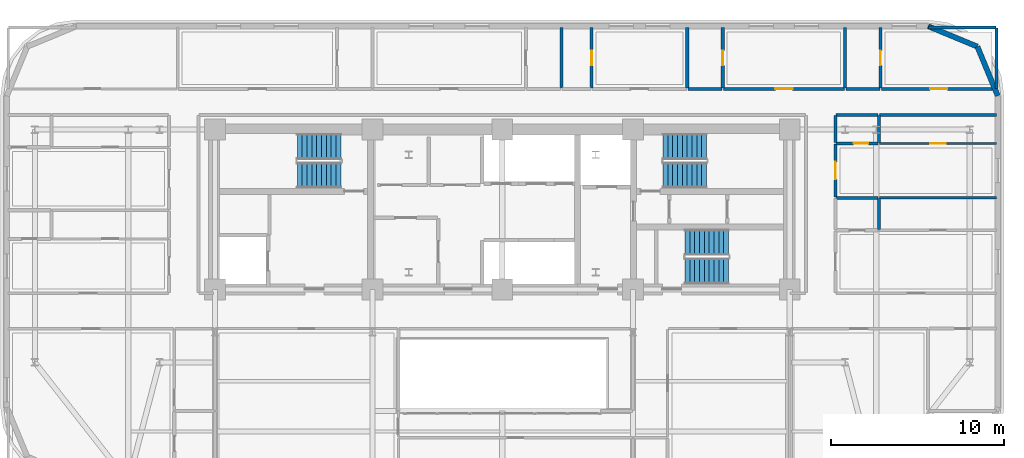
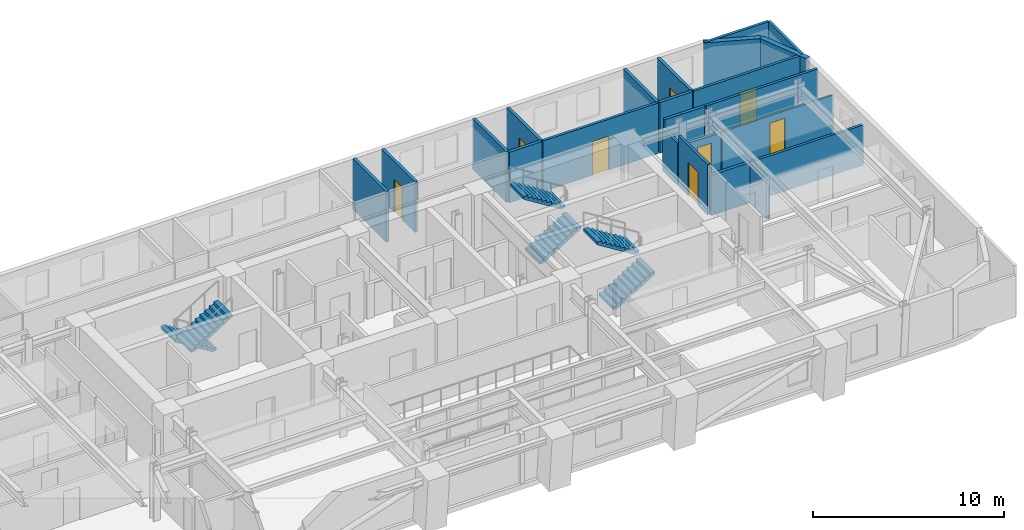
# One storey, part 12 of 15: 24 walls, 8 doors, 6 stair flights, 8 openings, 3 elements without a shape of their own.
"""IFC4 building model written with IfcOpenShell, lengths in metres."""

from ifc_helpers import new_model, si_unit, direction, frame, frame_2d, origin, place, context, subcontext, project, spatial, polyline, rectangle, outline, extrude, material, layer, layer_set, type_object, element, fill, aggregate, save


model = new_model("IFC4")

# Units and contexts
model_context = context("Model", 3, precision=1e-05, world=origin(), true_north=direction((0.0, 1.0)))
body_context = subcontext(model_context, "Body", "Model", "MODEL_VIEW")
ifc_project = project(units=[si_unit("LENGTHUNIT", "METRE"), si_unit("AREAUNIT", "SQUARE_METRE"), si_unit("VOLUMEUNIT", "CUBIC_METRE"), si_unit("PLANEANGLEUNIT", "RADIAN"), si_unit("MASSUNIT", "GRAM", prefix="KILO")], contexts=[model_context])

# Site, building, storey
site_placement = place(None, origin())
site = spatial("IfcSite", under=ifc_project, at=site_placement, CompositionType="ELEMENT")
building_placement = place(site_placement, origin())
building = spatial("IfcBuilding", under=site, at=building_placement, Name="Zarnavel Station Tower", CompositionType="ELEMENT")
storey_placement = place(building_placement, frame((0.0, 0.0, 111.800048828125)))
storey = spatial("IfcBuildingStorey", under=building, at=storey_placement, Name="L30", CompositionType="ELEMENT", Elevation=111.800048828125)

# Walls
ifc_material_1 = material(Name="Precast concrete C45/55 (Dark Basalt Finish)", Category="masonry")
ifc_layer_1 = layer(ifc_material_1, 0.300048828125)
ifc_layer_set_1 = layer_set([ifc_layer_1], Name="EW_BASALT_300")
wall_type_1 = type_object("IfcWallType", Name="EW_BASALT_300", PredefinedType="SOLIDWALL", material=ifc_layer_set_1)
wall_1_placement = place(storey_placement, frame((56.24267578125, 41.842529296875, 0.0), z_axis=(0.0, 0.0, 1.0), x_axis=(0.382636798336, -0.92389884758, 0.0)))
element("IfcWall", 1, at=wall_1_placement, inside=storey, type_object=wall_type_1, Name="L30 Exterior Basalt Masonry Frame Wall 04", PredefinedType="SOLIDWALL", context=body_context, shape_type="SweptSolid", body=[
    extrude(rectangle(XDim=3.07666015625, YDim=0.300048828125, at=frame_2d((1.538330078125, 0.0))), origin(), (0.0, 0.0, 1.0), 3.239990234375),
])
wall_2_placement = place(storey_placement, frame((53.39990234375, 43.02001953125, 0.0), z_axis=(0.0, 0.0, 1.0), x_axis=(0.923882414032, -0.382676475685, 0.0)))
element("IfcWall", 2, at=wall_2_placement, inside=storey, type_object=wall_type_1, Name="L30 Exterior Basalt Masonry Frame Wall 05", PredefinedType="SOLIDWALL", context=body_context, shape_type="SweptSolid", body=[
    extrude(rectangle(XDim=3.076904296875, YDim=0.300048828125, at=frame_2d((1.53857421875, 0.0))), origin(), (0.0, 0.0, 1.0), 3.239990234375),
])

# Wall, opening, door
ifc_material_2 = material(Name="Gypsum Twin-Stud Acoustic Fire Partition", Category="concrete")
ifc_layer_2 = layer(ifc_material_2, 0.159912109375)
ifc_layer_set_2 = layer_set([ifc_layer_2], Name="PT_DEMISE_160")
wall_type_2 = type_object("IfcWallType", Name="PT_DEMISE_160", PredefinedType="PARTITIONING", material=ifc_layer_set_2)
wall_3_placement = place(storey_placement, frame((48.050048828125, 33.14892578125, 0.0), z_axis=(0.0, 0.0, 1.0), x_axis=(0.0, 1.0, 0.0)))
wall_3 = element("IfcWall", 3, at=wall_3_placement, inside=storey, type_object=wall_type_2, Name="L30 Partition COR-E-FNE2R", PredefinedType="PARTITIONING", context=body_context, shape_type="SweptSolid", body=[
    extrude(rectangle(XDim=3.06103515625, YDim=0.159912109375, at=frame_2d((1.530517578125, 0.0))), origin(), (0.0, 0.0, 1.0), 3.239990234375),
])
opening_1_placement = place(wall_3_placement, frame((1.030517578125, 0.0, 0.0)))
opening_1 = element("IfcOpeningElement", 4, at=opening_1_placement, cuts=wall_3, Name="Opening FD02", PredefinedType="OPENING", context=body_context, shape_type="SweptSolid", body=[
    extrude(rectangle(XDim=1.0, YDim=2.14990234375, at=frame_2d((0.5, 1.074951171875))), frame((0.0, 0.08984375, 0.0), z_axis=(0.0, -1.0, 0.0), x_axis=(1.0, 0.0, 0.0)), (0.0, 0.0, 1.0), 0.179931640625),
])
ifc_material_3 = material(Name="Painted Galvanised Steel and Hardwood Leaf", Category="steel")
door_type_1 = type_object("IfcDoorType", Name="ID_ENTRY_1000", OperationType="NOTDEFINED", PredefinedType="DOOR", material=ifc_material_3)
door_1_placement = place(opening_1_placement, origin())
door_1 = element("IfcDoor", 5, at=door_1_placement, inside=storey, type_object=door_type_1, Name="L30 Door COR-E-FNE2R", OperationType="SINGLE_SWING_LEFT", OverallHeight=2.14990234375, OverallWidth=1.0, PredefinedType="DOOR", context=body_context, shape_type="SweptSolid", body=[
    extrude(rectangle(XDim=1.0, YDim=2.14990234375, at=frame_2d((0.5, 1.074951171875))), frame((0.0, 0.02490234375, 0.0), z_axis=(0.0, -1.0, 0.0), x_axis=(1.0, 0.0, 0.0)), (0.0, 0.0, 1.0), 0.050048828125),
])
fill(opening_1, door_1)

# Wall
wall_4_placement = place(storey_placement, frame((50.590087890625, 37.89990234375, 0.0), z_axis=(0.0, 0.0, 1.0), x_axis=(1.0, 0.0, 0.0)))
element("IfcWall", 6, at=wall_4_placement, inside=storey, type_object=wall_type_2, Name="L30 Partition COR-N-FNE2S", PredefinedType="PARTITIONING", context=body_context, shape_type="SweptSolid", body=[
    extrude(rectangle(XDim=6.75, YDim=0.159912109375, at=frame_2d((3.375, 0.0))), origin(), (0.0, 0.0, 1.0), 3.239990234375),
])

# Wall, opening, door
wall_5_placement = place(storey_placement, frame((41.574951171875, 39.39990234375, 0.0), z_axis=(0.0, 0.0, 1.0), x_axis=(1.0, 0.0, 0.0)))
wall_5 = element("IfcWall", 7, at=wall_5_placement, inside=storey, type_object=wall_type_2, Name="L30 Partition COR-N-HN4R", PredefinedType="PARTITIONING", context=body_context, shape_type="SweptSolid", body=[
    extrude(rectangle(XDim=6.985107421875, YDim=0.159912109375, at=frame_2d((3.49267578125, 0.0))), origin(), (0.0, 0.0, 1.0), 3.239990234375),
])
opening_2_placement = place(wall_5_placement, frame((2.992431640625, 0.0, 0.0)))
opening_2 = element("IfcOpeningElement", 8, at=opening_2_placement, cuts=wall_5, Name="Opening FD02", PredefinedType="OPENING", context=body_context, shape_type="SweptSolid", body=[
    extrude(rectangle(XDim=1.0, YDim=2.14990234375, at=frame_2d((0.5, 1.074951171875))), frame((0.0, 0.08984375, 0.0), z_axis=(0.0, -1.0, 0.0), x_axis=(1.0, 0.0, 0.0)), (0.0, 0.0, 1.0), 0.179931640625),
])
door_2_placement = place(opening_2_placement, origin())
door_2 = element("IfcDoor", 9, at=door_2_placement, inside=storey, type_object=door_type_1, Name="L30 Door COR-N-HN4R", OperationType="SINGLE_SWING_RIGHT", OverallHeight=2.14990234375, OverallWidth=1.0, PredefinedType="DOOR", context=body_context, shape_type="SweptSolid", body=[
    extrude(rectangle(XDim=1.0, YDim=2.14990234375, at=frame_2d((0.5, 1.074951171875))), frame((0.0, 0.02490234375, 0.0), z_axis=(0.0, -1.0, 0.0), x_axis=(1.0, 0.0, 0.0)), (0.0, 0.0, 1.0), 0.050048828125),
])
fill(opening_2, door_2)

wall_6_placement = place(storey_placement, frame((50.68994140625, 39.39990234375, 0.0), z_axis=(0.0, 0.0, 1.0), x_axis=(1.0, 0.0, 0.0)))
wall_6 = element("IfcWall", 10, at=wall_6_placement, inside=storey, type_object=wall_type_2, Name="L30 Partition COR-N-HN5R", PredefinedType="PARTITIONING", context=body_context, shape_type="SweptSolid", body=[
    extrude(rectangle(XDim=6.650146484375, YDim=0.159912109375, at=frame_2d((3.3251953125, 0.0))), origin(), (0.0, 0.0, 1.0), 3.239990234375),
])
opening_3_placement = place(wall_6_placement, frame((2.824951171875, 0.0, 0.0)))
opening_3 = element("IfcOpeningElement", 11, at=opening_3_placement, cuts=wall_6, Name="Opening FD02", PredefinedType="OPENING", context=body_context, shape_type="SweptSolid", body=[
    extrude(rectangle(XDim=1.0, YDim=2.14990234375, at=frame_2d((0.5, 1.074951171875))), frame((0.0, 0.08984375, 0.0), z_axis=(0.0, -1.0, 0.0), x_axis=(1.0, 0.0, 0.0)), (0.0, 0.0, 1.0), 0.179931640625),
])
door_3_placement = place(opening_3_placement, origin())
door_3 = element("IfcDoor", 12, at=door_3_placement, inside=storey, type_object=door_type_1, Name="L30 Door COR-N-HN5R", OperationType="SINGLE_SWING_LEFT", OverallHeight=2.14990234375, OverallWidth=1.0, PredefinedType="DOOR", context=body_context, shape_type="SweptSolid", body=[
    extrude(rectangle(XDim=1.0, YDim=2.14990234375, at=frame_2d((0.5, 1.074951171875))), frame((0.0, 0.02490234375, 0.0), z_axis=(0.0, -1.0, 0.0), x_axis=(1.0, 0.0, 0.0)), (0.0, 0.0, 1.0), 0.050048828125),
])
fill(opening_3, door_3)

# Walls
wall_7_placement = place(storey_placement, frame((50.590087890625, 33.10888671875, 0.0), z_axis=(0.0, 0.0, 1.0), x_axis=(1.0, 0.0, 0.0)))
element("IfcWall", 13, at=wall_7_placement, inside=storey, type_object=wall_type_2, Name="L30 Partition FNE1S-FNE2R", PredefinedType="PARTITIONING", context=body_context, shape_type="SweptSolid", body=[
    extrude(rectangle(XDim=6.75, YDim=0.159912109375, at=frame_2d((3.375, 0.0))), origin(), (0.0, 0.0, 1.0), 2.570068359375),
])
wall_8_placement = place(storey_placement, frame((53.429931640625, 42.93994140625, 0.0), z_axis=(0.0, 0.0, 1.0), x_axis=(1.0, 0.0, 0.0)))
element("IfcWall", 14, at=wall_8_placement, inside=storey, type_object=wall_type_2, Name="L30 Enclosure Wall HN5R", PredefinedType="PARTITIONING", context=body_context, shape_type="SweptSolid", body=[
    extrude(rectangle(XDim=3.880126953125, YDim=0.159912109375, at=frame_2d((1.93994140625, 0.0))), origin(), (0.0, 0.0, 1.0), 3.239990234375),
])
wall_9_placement = place(storey_placement, frame((57.340087890625, 39.429931640625, 0.0), z_axis=(0.0, 0.0, 1.0), x_axis=(0.0, 1.0, 0.0)))
element("IfcWall", 15, at=wall_9_placement, inside=storey, type_object=wall_type_2, Name="L30 Enclosure Wall HN5R", PredefinedType="PARTITIONING", context=body_context, shape_type="SweptSolid", body=[
    extrude(rectangle(XDim=3.47998046875, YDim=0.159912109375, at=frame_2d((1.739990234375, 0.0))), origin(), (0.0, 0.0, 1.0), 3.239990234375),
])

# Wall, opening, door
ifc_material_4 = material(Name="Gypsum Metal-Stud Interior Partition", Category="concrete")
ifc_layer_3 = layer(ifc_material_4, 0.1201171875)
ifc_layer_set_3 = layer_set([ifc_layer_3], Name="PT_ROOM_120")
wall_type_3 = type_object("IfcWallType", Name="PT_ROOM_120", PredefinedType="PARTITIONING", material=ifc_layer_set_3)
wall_10_placement = place(storey_placement, frame((50.590087890625, 36.25, 0.0), z_axis=(0.0, 0.0, 1.0), x_axis=(1.0, 0.0, 0.0)))
wall_10 = element("IfcWall", 16, at=wall_10_placement, inside=storey, type_object=wall_type_3, Name="L30 Partition FNE2R-FNE2S", PredefinedType="PARTITIONING", context=body_context, shape_type="SweptSolid", body=[
    extrude(rectangle(XDim=6.75, YDim=0.1201171875, at=frame_2d((3.375, 0.0))), origin(), (0.0, 0.0, 1.0), 2.570068359375),
])
opening_4_placement = place(wall_10_placement, frame((2.925048828125, 0.0, 0.0)))
opening_4 = element("IfcOpeningElement", 17, at=opening_4_placement, cuts=wall_10, Name="Opening ID01", PredefinedType="OPENING", context=body_context, shape_type="SweptSolid", body=[
    extrude(rectangle(XDim=0.89990234375, YDim=2.10009765625, at=frame_2d((0.449951171875, 1.050048828125))), frame((0.0, 0.070068359375, 0.0), z_axis=(0.0, -1.0, 0.0), x_axis=(1.0, 0.0, 0.0)), (0.0, 0.0, 1.0), 0.14013671875),
])
ifc_material_5 = material(Name="Painted Galvanised Steel and Hardwood Leaf", Category="steel")
door_type_2 = type_object("IfcDoorType", Name="ID_ROOM_900", OperationType="NOTDEFINED", PredefinedType="DOOR", material=ifc_material_5)
door_4_placement = place(opening_4_placement, origin())
door_4 = element("IfcDoor", 18, at=door_4_placement, inside=storey, type_object=door_type_2, Name="L30 Door FNE2R-FNE2S", OperationType="SINGLE_SWING_RIGHT", OverallHeight=2.10009765625, OverallWidth=0.89990234375, PredefinedType="DOOR", context=body_context, shape_type="SweptSolid", body=[
    extrude(rectangle(XDim=0.89990234375, YDim=2.10009765625, at=frame_2d((0.449951171875, 1.050048828125))), frame((0.0, 0.02490234375, 0.0), z_axis=(0.0, -1.0, 0.0), x_axis=(1.0, 0.0, 0.0)), (0.0, 0.0, 1.0), 0.050048828125),
])
fill(opening_4, door_4)

# Walls
ifc_material_6 = material(Name="Moisture-Resistant Plumbing Chase Wall", Category="concrete")
ifc_layer_4 = layer(ifc_material_6, 0.179931640625)
ifc_layer_set_4 = layer_set([ifc_layer_4], Name="PW_PLUMB_180")
wall_type_4 = type_object("IfcWallType", Name="PW_PLUMB_180", PredefinedType="PLUMBINGWALL", material=ifc_layer_set_4)
wall_11_placement = place(storey_placement, frame((48.050048828125, 36.2900390625, 0.0), z_axis=(0.0, 0.0, 1.0), x_axis=(0.0, 1.0, 0.0)))
element("IfcWall", 19, at=wall_11_placement, inside=storey, type_object=wall_type_4, Name="L30 Partition COR-E-FNE2B", PredefinedType="PLUMBINGWALL", context=body_context, shape_type="SweptSolid", body=[
    extrude(rectangle(XDim=1.570068359375, YDim=0.179931640625, at=frame_2d((0.78515625, 0.0))), origin(), (0.0, 0.0, 1.0), 2.719970703125),
])
wall_12_placement = place(storey_placement, frame((48.090087890625, 37.89990234375, 0.0), z_axis=(0.0, 0.0, 1.0), x_axis=(1.0, 0.0, 0.0)))
element("IfcWall", 20, at=wall_12_placement, inside=storey, type_object=wall_type_4, Name="L30 Partition COR-N-FNE2B", PredefinedType="PLUMBINGWALL", context=body_context, shape_type="SweptSolid", body=[
    extrude(rectangle(XDim=2.419921875, YDim=0.179931640625, at=frame_2d((1.2099609375, 0.0))), origin(), (0.0, 0.0, 1.0), 3.239990234375),
])
for number, where, z_axis, x_axis, name in (
    (21, (39.52490234375, 39.39990234375, 0.0), (0.0, 0.0, 1.0), (1.0, 0.0, 0.0), "L30 Partition COR-N-HN4B"),
    (22, (48.639892578125, 39.39990234375, 0.0), (0.0, 0.0, 1.0), (1.0, 0.0, 0.0), "L30 Partition COR-N-HN5B"),
):
    element("IfcWall", number, at=place(storey_placement, frame(where, z_axis=z_axis, x_axis=x_axis)), inside=storey, type_object=wall_type_4, Name=name, PredefinedType="PLUMBINGWALL", context=body_context, shape_type="SweptSolid", body=[
        extrude(rectangle(XDim=1.97021484375, YDim=0.179931640625, at=frame_2d((0.985107421875, 0.0))), origin(), (0.0, 0.0, 1.0), 3.239990234375),
    ])
wall_13_placement = place(storey_placement, frame((50.550048828125, 31.27587890625, 0.0), z_axis=(0.0, 0.0, 1.0), x_axis=(0.0, 1.0, 0.0)))
element("IfcWall", 23, at=wall_13_placement, inside=storey, type_object=wall_type_4, Name="L30 Partition FNE1B-FNE1S", PredefinedType="PLUMBINGWALL", context=body_context, shape_type="SweptSolid", body=[
    extrude(rectangle(XDim=1.793212890625, YDim=0.179931640625, at=frame_2d((0.896484375, 0.0))), origin(), (0.0, 0.0, 1.0), 2.570068359375),
])
wall_14_placement = place(storey_placement, frame((48.090087890625, 33.10888671875, 0.0), z_axis=(0.0, 0.0, 1.0), x_axis=(1.0, 0.0, 0.0)))
element("IfcWall", 24, at=wall_14_placement, inside=storey, type_object=wall_type_4, Name="L30 Partition FNE1B-FNE2R", PredefinedType="PLUMBINGWALL", context=body_context, shape_type="SweptSolid", body=[
    extrude(rectangle(XDim=2.419921875, YDim=0.179931640625, at=frame_2d((1.2099609375, 0.0))), origin(), (0.0, 0.0, 1.0), 2.570068359375),
])

# Wall, opening, door
wall_15_placement = place(storey_placement, frame((50.510009765625, 36.25, 0.0), z_axis=(0.0, 0.0, 1.0), x_axis=(-1.0, 0.0, 0.0)))
wall_15 = element("IfcWall", 25, at=wall_15_placement, inside=storey, type_object=wall_type_4, Name="L30 Partition FNE2R-FNE2B", PredefinedType="PLUMBINGWALL", context=body_context, shape_type="SweptSolid", body=[
    extrude(rectangle(XDim=2.419921875, YDim=0.179931640625, at=frame_2d((1.2099609375, 0.0))), origin(), (0.0, 0.0, 1.0), 2.570068359375),
])
opening_5_placement = place(wall_15_placement, frame((0.570068359375, 0.0, 0.0)))
opening_5 = element("IfcOpeningElement", 26, at=opening_5_placement, cuts=wall_15, Name="Opening ID02", PredefinedType="OPENING", context=body_context, shape_type="SweptSolid", body=[
    extrude(rectangle(XDim=0.85009765625, YDim=2.10009765625, at=frame_2d((0.425048828125, 1.050048828125))), frame((0.0, 0.099853515625, 0.0), z_axis=(0.0, -1.0, 0.0), x_axis=(1.0, 0.0, 0.0)), (0.0, 0.0, 1.0), 0.199951171875),
])
ifc_material_7 = material(Name="Painted Galvanised Steel and Hardwood Leaf", Category="steel")
door_type_3 = type_object("IfcDoorType", Name="ID_BATH_850", OperationType="NOTDEFINED", PredefinedType="DOOR", material=ifc_material_7)
door_5_placement = place(opening_5_placement, origin())
door_5 = element("IfcDoor", 27, at=door_5_placement, inside=storey, type_object=door_type_3, Name="L30 Door FNE2R-FNE2B", OperationType="SINGLE_SWING_LEFT", OverallHeight=2.10009765625, OverallWidth=0.85009765625, PredefinedType="DOOR", context=body_context, shape_type="SweptSolid", body=[
    extrude(rectangle(XDim=0.85009765625, YDim=2.10009765625, at=frame_2d((0.425048828125, 1.050048828125))), frame((0.0, 0.02490234375, 0.0), z_axis=(0.0, -1.0, 0.0), x_axis=(1.0, 0.0, 0.0)), (0.0, 0.0, 1.0), 0.050048828125),
])
fill(opening_5, door_5)

# Walls
wall_16_placement = place(storey_placement, frame((50.550048828125, 36.2900390625, 0.0), z_axis=(0.0, 0.0, 1.0), x_axis=(0.0, 1.0, 0.0)))
element("IfcWall", 28, at=wall_16_placement, inside=storey, type_object=wall_type_4, Name="L30 Partition FNE2B-FNE2S", PredefinedType="PLUMBINGWALL", context=body_context, shape_type="SweptSolid", body=[
    extrude(rectangle(XDim=1.570068359375, YDim=0.179931640625, at=frame_2d((0.78515625, 0.0))), origin(), (0.0, 0.0, 1.0), 2.570068359375),
])
wall_17_placement = place(storey_placement, frame((32.2109375, 39.43994140625, 0.0), z_axis=(0.0, 0.0, 1.0), x_axis=(0.0, 1.0, 0.0)))
element("IfcWall", 29, at=wall_17_placement, inside=storey, type_object=wall_type_4, Name="L30 Partition HN2B-HN3B", PredefinedType="PLUMBINGWALL", context=body_context, shape_type="SweptSolid", body=[
    extrude(rectangle(XDim=3.5, YDim=0.179931640625, at=frame_2d((1.75, 0.0))), origin(), (0.0, 0.0, 1.0), 3.239990234375),
])

# Wall, opening, door
wall_18_placement = place(storey_placement, frame((33.95703125, 39.43994140625, 0.0), z_axis=(0.0, 0.0, 1.0), x_axis=(0.0, 1.0, 0.0)))
wall_18 = element("IfcWall", 30, at=wall_18_placement, inside=storey, type_object=wall_type_4, Name="L30 Partition HN3R-HN3B", PredefinedType="PLUMBINGWALL", context=body_context, shape_type="SweptSolid", body=[
    extrude(rectangle(XDim=3.5, YDim=0.179931640625, at=frame_2d((1.75, 0.0))), origin(), (0.0, 0.0, 1.0), 3.239990234375),
])
opening_6_placement = place(wall_18_placement, frame((1.324951171875, 0.0, 0.0)))
opening_6 = element("IfcOpeningElement", 31, at=opening_6_placement, cuts=wall_18, Name="Opening ID02", PredefinedType="OPENING", context=body_context, shape_type="SweptSolid", body=[
    extrude(rectangle(XDim=0.85009765625, YDim=2.10009765625, at=frame_2d((0.425048828125, 1.050048828125))), frame((0.0, 0.099853515625, 0.0), z_axis=(0.0, -1.0, 0.0), x_axis=(1.0, 0.0, 0.0)), (0.0, 0.0, 1.0), 0.199951171875),
])
door_6_placement = place(opening_6_placement, origin())
door_6 = element("IfcDoor", 32, at=door_6_placement, inside=storey, type_object=door_type_3, Name="L30 Door HN3R-HN3B", OperationType="SINGLE_SWING_LEFT", OverallHeight=2.10009765625, OverallWidth=0.85009765625, PredefinedType="DOOR", context=body_context, shape_type="SweptSolid", body=[
    extrude(rectangle(XDim=0.85009765625, YDim=2.10009765625, at=frame_2d((0.425048828125, 1.050048828125))), frame((0.0, 0.02490234375, 0.0), z_axis=(0.0, -1.0, 0.0), x_axis=(1.0, 0.0, 0.0)), (0.0, 0.0, 1.0), 0.050048828125),
])
fill(opening_6, door_6)

# Wall
wall_19_placement = place(storey_placement, frame((39.485107421875, 39.43994140625, 0.0), z_axis=(0.0, 0.0, 1.0), x_axis=(0.0, 1.0, 0.0)))
element("IfcWall", 33, at=wall_19_placement, inside=storey, type_object=wall_type_4, Name="L30 Partition HN3R-HN4B", PredefinedType="PLUMBINGWALL", context=body_context, shape_type="SweptSolid", body=[
    extrude(rectangle(XDim=3.5, YDim=0.179931640625, at=frame_2d((1.75, 0.0))), origin(), (0.0, 0.0, 1.0), 3.239990234375),
])

# Wall, opening, door
wall_20_placement = place(storey_placement, frame((41.534912109375, 39.43994140625, 0.0), z_axis=(0.0, 0.0, 1.0), x_axis=(0.0, 1.0, 0.0)))
wall_20 = element("IfcWall", 34, at=wall_20_placement, inside=storey, type_object=wall_type_4, Name="L30 Partition HN4R-HN4B", PredefinedType="PLUMBINGWALL", context=body_context, shape_type="SweptSolid", body=[
    extrude(rectangle(XDim=3.5, YDim=0.179931640625, at=frame_2d((1.75, 0.0))), origin(), (0.0, 0.0, 1.0), 3.239990234375),
])
opening_7_placement = place(wall_20_placement, frame((1.324951171875, 0.0, 0.0)))
opening_7 = element("IfcOpeningElement", 35, at=opening_7_placement, cuts=wall_20, Name="Opening ID02", PredefinedType="OPENING", context=body_context, shape_type="SweptSolid", body=[
    extrude(rectangle(XDim=0.85009765625, YDim=2.10009765625, at=frame_2d((0.425048828125, 1.050048828125))), frame((0.0, 0.099853515625, 0.0), z_axis=(0.0, -1.0, 0.0), x_axis=(1.0, 0.0, 0.0)), (0.0, 0.0, 1.0), 0.199951171875),
])
door_7_placement = place(opening_7_placement, origin())
door_7 = element("IfcDoor", 36, at=door_7_placement, inside=storey, type_object=door_type_3, Name="L30 Door HN4R-HN4B", OperationType="SINGLE_SWING_RIGHT", OverallHeight=2.10009765625, OverallWidth=0.85009765625, PredefinedType="DOOR", context=body_context, shape_type="SweptSolid", body=[
    extrude(rectangle(XDim=0.85009765625, YDim=2.10009765625, at=frame_2d((0.425048828125, 1.050048828125))), frame((0.0, 0.02490234375, 0.0), z_axis=(0.0, -1.0, 0.0), x_axis=(1.0, 0.0, 0.0)), (0.0, 0.0, 1.0), 0.050048828125),
])
fill(opening_7, door_7)

# Wall
wall_21_placement = place(storey_placement, frame((48.60009765625, 39.43994140625, 0.0), z_axis=(0.0, 0.0, 1.0), x_axis=(0.0, 1.0, 0.0)))
element("IfcWall", 37, at=wall_21_placement, inside=storey, type_object=wall_type_4, Name="L30 Partition HN4R-HN5B", PredefinedType="PLUMBINGWALL", context=body_context, shape_type="SweptSolid", body=[
    extrude(rectangle(XDim=3.5, YDim=0.179931640625, at=frame_2d((1.75, 0.0))), origin(), (0.0, 0.0, 1.0), 3.239990234375),
])

# Wall, opening, door
wall_22_placement = place(storey_placement, frame((50.64990234375, 39.43994140625, 0.0), z_axis=(0.0, 0.0, 1.0), x_axis=(0.0, 1.0, 0.0)))
wall_22 = element("IfcWall", 38, at=wall_22_placement, inside=storey, type_object=wall_type_4, Name="L30 Partition HN5R-HN5B", PredefinedType="PLUMBINGWALL", context=body_context, shape_type="SweptSolid", body=[
    extrude(rectangle(XDim=3.5, YDim=0.179931640625, at=frame_2d((1.75, 0.0))), origin(), (0.0, 0.0, 1.0), 3.239990234375),
])
opening_8_placement = place(wall_22_placement, frame((1.324951171875, 0.0, 0.0)))
opening_8 = element("IfcOpeningElement", 39, at=opening_8_placement, cuts=wall_22, Name="Opening ID02", PredefinedType="OPENING", context=body_context, shape_type="SweptSolid", body=[
    extrude(rectangle(XDim=0.85009765625, YDim=2.10009765625, at=frame_2d((0.425048828125, 1.050048828125))), frame((0.0, 0.099853515625, 0.0), z_axis=(0.0, -1.0, 0.0), x_axis=(1.0, 0.0, 0.0)), (0.0, 0.0, 1.0), 0.199951171875),
])
door_8_placement = place(opening_8_placement, origin())
door_8 = element("IfcDoor", 40, at=door_8_placement, inside=storey, type_object=door_type_3, Name="L30 Door HN5R-HN5B", OperationType="SINGLE_SWING_LEFT", OverallHeight=2.10009765625, OverallWidth=0.85009765625, PredefinedType="DOOR", context=body_context, shape_type="SweptSolid", body=[
    extrude(rectangle(XDim=0.85009765625, YDim=2.10009765625, at=frame_2d((0.425048828125, 1.050048828125))), frame((0.0, 0.02490234375, 0.0), z_axis=(0.0, -1.0, 0.0), x_axis=(1.0, 0.0, 0.0)), (0.0, 0.0, 1.0), 0.050048828125),
])
fill(opening_8, door_8)

# Stair, stair flights
ifc_material_8 = material(Name="Concrete C45/55", Category="concrete")
stair_type = type_object("IfcStairType", Name="ST_CORE_150", PredefinedType="HALF_TURN_STAIR", material=ifc_material_8)
stair_1_placement = place(storey_placement, origin())
stair_1 = element("IfcStair", 41, at=stair_1_placement, inside=storey, type_object=stair_type, Name="L30 Core Exit Stair ST1", PredefinedType="HALF_TURN_STAIR")
ifc_material_9 = material(Name="Concrete C45/55", Category="concrete")
ifc_layer_5 = layer(ifc_material_9, 0.179931640625)
ifc_layer_set_5 = layer_set([ifc_layer_5], Name="ST_CORE_150_FLT")
stair_flight_type = type_object("IfcStairFlightType", Name="ST_CORE_150_FLT", PredefinedType="STRAIGHT", material=ifc_layer_set_5)
stair_flight_1_placement = place(storey_placement, frame((19.47998046875, 36.070068359375, 0.0), z_axis=(0.0, 0.0, 1.0), x_axis=(-1.0, 0.0, 0.0)))
stair_flight_1 = element("IfcStairFlight", 42, at=stair_flight_1_placement, type_object=stair_flight_type, Name="ST1 flight 1", NumberOfRisers=10, NumberOfTreads=9, PredefinedType="STRAIGHT", RiserHeight=0.175, TreadLength=0.28, context=body_context, shape_type="SweptSolid", body=[
    extrude(outline(polyline([(0.0, 0.0), (0.0, 0.175048828125), (0.280029296875, 0.175048828125), (0.280029296875, 0.35009765625), (0.56005859375, 0.35009765625), (0.56005859375, 0.52490234375), (0.840087890625, 0.52490234375), (0.840087890625, 0.699951171875), (1.1201171875, 0.699951171875), (1.1201171875, 0.875), (1.39990234375, 0.875), (1.39990234375, 1.050048828125), (1.679931640625, 1.050048828125), (1.679931640625, 1.22509765625), (1.9599609375, 1.22509765625), (1.9599609375, 1.39990234375), (2.239990234375, 1.39990234375), (2.239990234375, 1.574951171875), (2.52001953125, 1.574951171875), (2.52001953125, 1.75), (2.52001953125, 1.398193359375), (0.28271484375, 0.0), (0.0, 0.0)])), frame((0.0, 0.75, 0.0), z_axis=(0.0, -1.0, 0.0), x_axis=(1.0, 0.0, 0.0)), (0.0, 0.0, 1.0), 1.5),
])
stair_flight_2_placement = place(storey_placement, frame((16.9599609375, 34.409912109375, 1.75), z_axis=(0.0, 0.0, 1.0), x_axis=(1.0, 0.0, 0.0)))
stair_flight_2 = element("IfcStairFlight", 43, at=stair_flight_2_placement, type_object=stair_flight_type, Name="ST1 flight 2", NumberOfRisers=10, NumberOfTreads=9, PredefinedType="STRAIGHT", RiserHeight=0.175, TreadLength=0.28, context=body_context, shape_type="SweptSolid", body=[
    extrude(outline(polyline([(0.0, 0.0), (0.0, 0.175048828125), (0.280029296875, 0.175048828125), (0.280029296875, 0.35009765625), (0.56005859375, 0.35009765625), (0.56005859375, 0.52490234375), (0.840087890625, 0.52490234375), (0.840087890625, 0.699951171875), (1.1201171875, 0.699951171875), (1.1201171875, 0.875), (1.39990234375, 0.875), (1.39990234375, 1.050048828125), (1.679931640625, 1.050048828125), (1.679931640625, 1.22509765625), (1.9599609375, 1.22509765625), (1.9599609375, 1.39990234375), (2.239990234375, 1.39990234375), (2.239990234375, 1.574951171875), (2.52001953125, 1.574951171875), (2.52001953125, 1.75), (2.52001953125, 1.398193359375), (0.28271484375, 0.0), (0.0, 0.0)])), frame((0.0, 0.75, 0.0), z_axis=(0.0, -1.0, 0.0), x_axis=(1.0, 0.0, 0.0)), (0.0, 0.0, 1.0), 1.5),
])
aggregate(stair_1, [stair_flight_1, stair_flight_2])

stair_2_placement = place(storey_placement, origin())
stair_2 = element("IfcStair", 44, at=stair_2_placement, inside=storey, type_object=stair_type, Name="L30 Core Exit Stair ST2", PredefinedType="HALF_TURN_STAIR")
stair_flight_3_placement = place(storey_placement, frame((38.080078125, 34.409912109375, 0.0), z_axis=(0.0, 0.0, 1.0), x_axis=(1.0, 0.0, 0.0)))
stair_flight_3 = element("IfcStairFlight", 45, at=stair_flight_3_placement, type_object=stair_flight_type, Name="ST2 flight 1", NumberOfRisers=10, NumberOfTreads=9, PredefinedType="STRAIGHT", RiserHeight=0.175, TreadLength=0.28, context=body_context, shape_type="SweptSolid", body=[
    extrude(outline(polyline([(0.0, 0.0), (0.0, 0.175048828125), (0.280029296875, 0.175048828125), (0.280029296875, 0.35009765625), (0.56005859375, 0.35009765625), (0.56005859375, 0.52490234375), (0.840087890625, 0.52490234375), (0.840087890625, 0.699951171875), (1.1201171875, 0.699951171875), (1.1201171875, 0.875), (1.39990234375, 0.875), (1.39990234375, 1.050048828125), (1.679931640625, 1.050048828125), (1.679931640625, 1.22509765625), (1.9599609375, 1.22509765625), (1.9599609375, 1.39990234375), (2.239990234375, 1.39990234375), (2.239990234375, 1.574951171875), (2.52001953125, 1.574951171875), (2.52001953125, 1.75), (2.52001953125, 1.398193359375), (0.28271484375, 0.0), (0.0, 0.0)])), frame((0.0, 0.75, 0.0), z_axis=(0.0, -1.0, 0.0), x_axis=(1.0, 0.0, 0.0)), (0.0, 0.0, 1.0), 1.5),
])
stair_flight_4_placement = place(storey_placement, frame((40.60009765625, 36.070068359375, 1.75), z_axis=(0.0, 0.0, 1.0), x_axis=(-1.0, 0.0, 0.0)))
stair_flight_4 = element("IfcStairFlight", 46, at=stair_flight_4_placement, type_object=stair_flight_type, Name="ST2 flight 2", NumberOfRisers=10, NumberOfTreads=9, PredefinedType="STRAIGHT", RiserHeight=0.175, TreadLength=0.28, context=body_context, shape_type="SweptSolid", body=[
    extrude(outline(polyline([(0.0, 0.0), (0.0, 0.175048828125), (0.280029296875, 0.175048828125), (0.280029296875, 0.35009765625), (0.56005859375, 0.35009765625), (0.56005859375, 0.52490234375), (0.840087890625, 0.52490234375), (0.840087890625, 0.699951171875), (1.1201171875, 0.699951171875), (1.1201171875, 0.875), (1.39990234375, 0.875), (1.39990234375, 1.050048828125), (1.679931640625, 1.050048828125), (1.679931640625, 1.22509765625), (1.9599609375, 1.22509765625), (1.9599609375, 1.39990234375), (2.239990234375, 1.39990234375), (2.239990234375, 1.574951171875), (2.52001953125, 1.574951171875), (2.52001953125, 1.75), (2.52001953125, 1.398193359375), (0.28271484375, 0.0), (0.0, 0.0)])), frame((0.0, 0.75, 0.0), z_axis=(0.0, -1.0, 0.0), x_axis=(1.0, 0.0, 0.0)), (0.0, 0.0, 1.0), 1.5),
])
aggregate(stair_2, [stair_flight_3, stair_flight_4])

stair_3_placement = place(storey_placement, origin())
stair_3 = element("IfcStair", 47, at=stair_3_placement, inside=storey, type_object=stair_type, Name="L30 Core Exit Stair ST3", PredefinedType="HALF_TURN_STAIR")
stair_flight_5_placement = place(storey_placement, frame((39.35009765625, 28.8701171875, 0.0), z_axis=(0.0, 0.0, 1.0), x_axis=(1.0, 0.0, 0.0)))
stair_flight_5 = element("IfcStairFlight", 48, at=stair_flight_5_placement, type_object=stair_flight_type, Name="ST3 flight 1", NumberOfRisers=10, NumberOfTreads=9, PredefinedType="STRAIGHT", RiserHeight=0.175, TreadLength=0.28, context=body_context, shape_type="SweptSolid", body=[
    extrude(outline(polyline([(0.0, 0.0), (0.0, 0.175048828125), (0.280029296875, 0.175048828125), (0.280029296875, 0.35009765625), (0.56005859375, 0.35009765625), (0.56005859375, 0.52490234375), (0.840087890625, 0.52490234375), (0.840087890625, 0.699951171875), (1.1201171875, 0.699951171875), (1.1201171875, 0.875), (1.39990234375, 0.875), (1.39990234375, 1.050048828125), (1.679931640625, 1.050048828125), (1.679931640625, 1.22509765625), (1.9599609375, 1.22509765625), (1.9599609375, 1.39990234375), (2.239990234375, 1.39990234375), (2.239990234375, 1.574951171875), (2.52001953125, 1.574951171875), (2.52001953125, 1.75), (2.52001953125, 1.398193359375), (0.28271484375, 0.0), (0.0, 0.0)])), frame((0.0, 0.75, 0.0), z_axis=(0.0, -1.0, 0.0), x_axis=(1.0, 0.0, 0.0)), (0.0, 0.0, 1.0), 1.5),
])
stair_flight_6_placement = place(storey_placement, frame((41.8701171875, 30.530029296875, 1.75), z_axis=(0.0, 0.0, 1.0), x_axis=(-1.0, 0.0, 0.0)))
stair_flight_6 = element("IfcStairFlight", 49, at=stair_flight_6_placement, type_object=stair_flight_type, Name="ST3 flight 2", NumberOfRisers=10, NumberOfTreads=9, PredefinedType="STRAIGHT", RiserHeight=0.175, TreadLength=0.28, context=body_context, shape_type="SweptSolid", body=[
    extrude(outline(polyline([(0.0, 0.0), (0.0, 0.175048828125), (0.280029296875, 0.175048828125), (0.280029296875, 0.35009765625), (0.56005859375, 0.35009765625), (0.56005859375, 0.52490234375), (0.840087890625, 0.52490234375), (0.840087890625, 0.699951171875), (1.1201171875, 0.699951171875), (1.1201171875, 0.875), (1.39990234375, 0.875), (1.39990234375, 1.050048828125), (1.679931640625, 1.050048828125), (1.679931640625, 1.22509765625), (1.9599609375, 1.22509765625), (1.9599609375, 1.39990234375), (2.239990234375, 1.39990234375), (2.239990234375, 1.574951171875), (2.52001953125, 1.574951171875), (2.52001953125, 1.75), (2.52001953125, 1.398193359375), (0.28271484375, 0.0), (0.0, 0.0)])), frame((0.0, 0.75, 0.0), z_axis=(0.0, -1.0, 0.0), x_axis=(1.0, 0.0, 0.0)), (0.0, 0.0, 1.0), 1.5),
])
aggregate(stair_3, [stair_flight_5, stair_flight_6])

save(model, "model.ifc")
